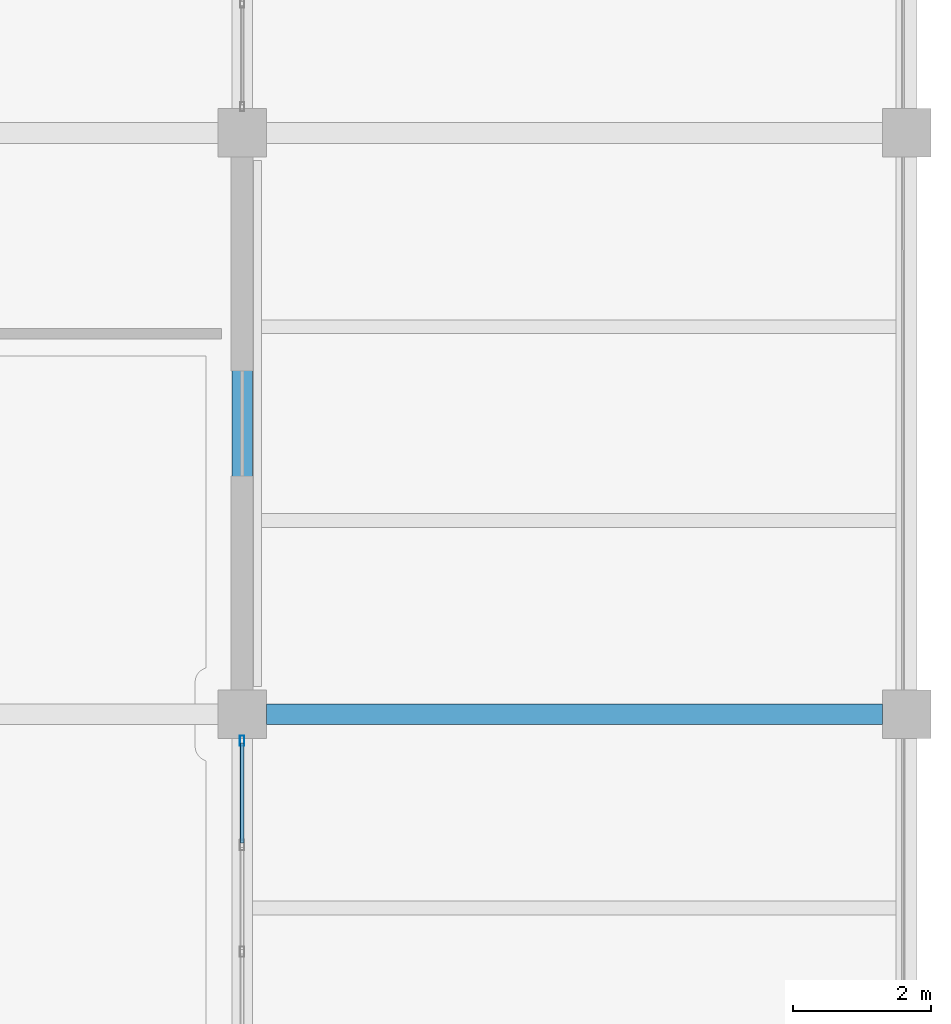
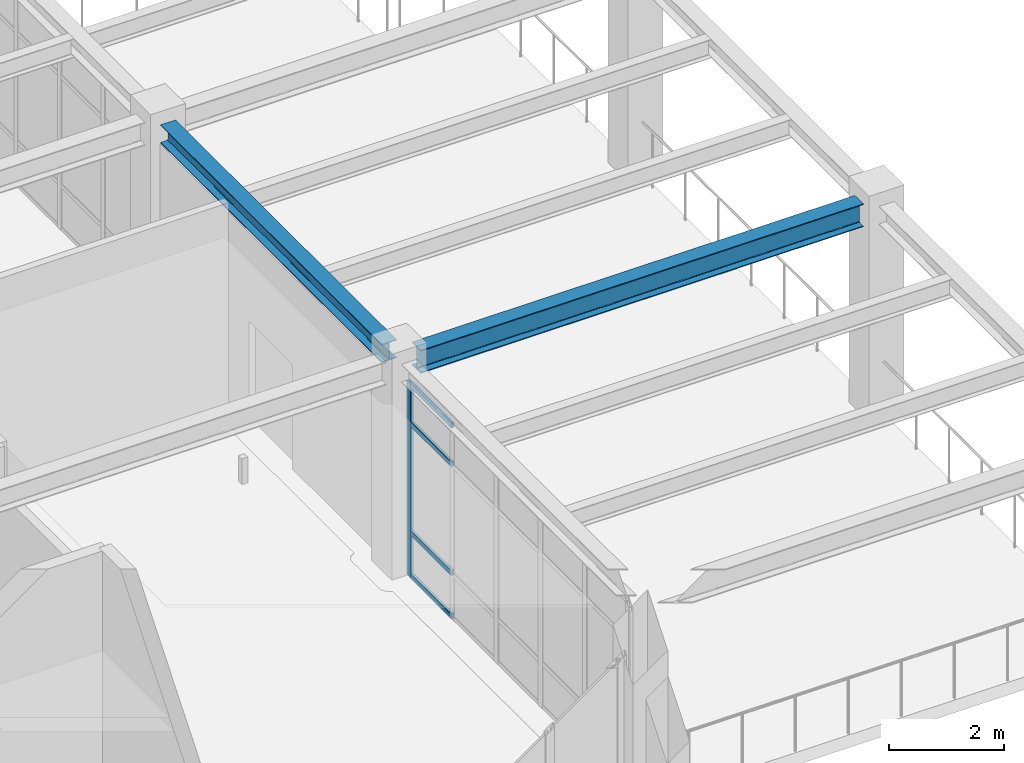
# One storey, part 59 of 98: 5 members, 2 beams, 1 element without a shape of its own.
"""IFC4 building model written with IfcOpenShell, lengths in metres."""

from ifc_helpers import new_model, si_unit, direction, frame, origin, origin_2d, place, context, subcontext, project, spatial, hollow_rectangle, i_section, extrude, material, material_profile, profile_set, type_object, element, aggregate, save


model = new_model("IFC4")

# Units and contexts
model_context = context("Model", 3, precision=1e-05, world=origin(), true_north=direction((0.0, 1.0)))
body_context = subcontext(model_context, "Body", "Model", "MODEL_VIEW")
ifc_project = project(units=[si_unit("LENGTHUNIT", "METRE"), si_unit("AREAUNIT", "SQUARE_METRE"), si_unit("VOLUMEUNIT", "CUBIC_METRE"), si_unit("PLANEANGLEUNIT", "RADIAN"), si_unit("MASSUNIT", "GRAM", prefix="KILO")], contexts=[model_context])

# Site, building, storey
site_placement = place(None, origin())
site = spatial("IfcSite", under=ifc_project, at=site_placement, CompositionType="ELEMENT")
building_placement = place(site_placement, origin())
building = spatial("IfcBuilding", under=site, at=building_placement, Name="Canglan Escarpment Cableway Terminal", CompositionType="ELEMENT")
storey_placement = place(building_placement, frame((0.0, 0.0, 9.60009765625)))
storey = spatial("IfcBuildingStorey", under=building, at=storey_placement, Name="L02", CompositionType="ELEMENT", Elevation=9.60009765625)

# Beams
ifc_material_1 = material(Name="Steel Q355B", Category="steel")
ifc_material_profile_1 = material_profile(ifc_material_1, i_section(OverallWidth=0.300048828125, OverallDepth=0.389892578125, WebThickness=0.010009765625, FlangeThickness=0.01611328125, FilletRadius=0.02197265625, at=origin_2d()), Name="HM 390x300x10x16")
ifc_profile_set_1 = profile_set([ifc_material_profile_1], Name="Steel Q355B")
beam_type_1 = type_object("IfcBeamType", Name="BM-ARCH-TOP-HM390", PredefinedType="BEAM", material=ifc_profile_set_1)
beam_1_placement = place(storey_placement, frame((166.39990234375, 16.75, 4.324951171875), z_axis=(0.0, 1.0, 0.0), x_axis=(-1.0, 0.0, 0.0)))
element("IfcBeam", 1, at=beam_1_placement, inside=storey, type_object=beam_type_1, Name="Primary transverse girder AR-TC1", PredefinedType="BEAM", context=body_context, shape_type="SweptSolid", body=[
    extrude(i_section(OverallWidth=0.300048828125, OverallDepth=0.389892578125, WebThickness=0.010009765625, FlangeThickness=0.01611328125, FilletRadius=0.02197265625, at=origin_2d()), origin(), (0.0, 0.0, 1.0), 7.699951171875),
])
ifc_material_profile_2 = material_profile(ifc_material_1, i_section(OverallWidth=0.300048828125, OverallDepth=0.488037109375, WebThickness=0.010986328125, FlangeThickness=0.01806640625, FilletRadius=0.02587890625, at=origin_2d()), Name="HM 488x300x11x18")
ifc_profile_set_2 = profile_set([ifc_material_profile_2], Name="Steel Q355B")
beam_type_2 = type_object("IfcBeamType", Name="BM-HM488", PredefinedType="BEAM", material=ifc_profile_set_2)
beam_2_placement = place(storey_placement, frame((166.75, 16.39990234375, 4.27587890625), z_axis=(1.0, 0.0, 0.0), x_axis=(0.0, 1.0, 0.0)))
element("IfcBeam", 2, at=beam_2_placement, inside=storey, type_object=beam_type_2, Name="Primary structural girder B-09", PredefinedType="BEAM", context=body_context, shape_type="SweptSolid", body=[
    extrude(i_section(OverallWidth=0.300048828125, OverallDepth=0.488037109375, WebThickness=0.010986328125, FlangeThickness=0.01806640625, FilletRadius=0.02587890625, at=origin_2d()), origin(), (0.0, 0.0, 1.0), 8.89990234375),
])

# Curtain wall, members
ifc_material_2 = material(Name="Anodized bronze aluminium and Low-E double glazing", Category="aluminium")
curtain_wall_type = type_object("IfcCurtainWallType", Name="CW-BAY-7700x4125", PredefinedType="NOTDEFINED", material=ifc_material_2)
curtain_wall_placement = place(storey_placement, origin())
curtain_wall = element("IfcCurtainWall", 3, at=curtain_wall_placement, inside=storey, type_object=curtain_wall_type, Name="Classical bay-between-piers glazed curtain wall CW-27", PredefinedType="NOTDEFINED")
ifc_material_3 = material(Name="Thermally broken anodized aluminium 6063-T6", Category="aluminium")
ifc_material_profile_3 = material_profile(ifc_material_3, hollow_rectangle(XDim=0.06494140625, YDim=0.14990234375, WallThickness=0.00341796875, InnerFilletRadius=0.00341796875, OuterFilletRadius=0.007080078125, at=origin_2d()), Name="ALU-MULL 65x150x3.5")
ifc_profile_set_3 = profile_set([ifc_material_profile_3], Name="Thermally broken anodized aluminium 6063-T6")
member_type_1 = type_object("IfcMemberType", Name="CWM-02", PredefinedType="MULLION", material=ifc_profile_set_3)
member_1_placement = place(storey_placement, frame((166.39990234375, 16.017578125, 0.0), z_axis=(0.0, 0.0, 1.0), x_axis=(-1.0, 0.0, 0.0)))
member_1 = element("IfcMember", 4, at=member_1_placement, type_object=member_type_1, Name="CW-27 mullion 6", PredefinedType="MULLION", context=body_context, shape_type="SweptSolid", body=[
    extrude(hollow_rectangle(XDim=0.06494140625, YDim=0.14990234375, WallThickness=0.00341796875, InnerFilletRadius=0.00341796875, OuterFilletRadius=0.007080078125, at=origin_2d()), origin(), (0.0, 0.0, 1.0), 4.114990234375),
])
ifc_material_profile_4 = material_profile(ifc_material_3, hollow_rectangle(XDim=0.06005859375, YDim=0.110107421875, WallThickness=0.0029296875, InnerFilletRadius=0.0029296875, OuterFilletRadius=0.006103515625, at=origin_2d()), Name="ALU-TRAN 60x110x3")
ifc_profile_set_4 = profile_set([ifc_material_profile_4], Name="Thermally broken anodized aluminium 6063-T6")
member_type_2 = type_object("IfcMemberType", Name="CWT-02", PredefinedType="USERDEFINED", material=ifc_profile_set_4)
member_2_placement = place(storey_placement, frame((166.39990234375, 14.54248046875, 0.02978515625), z_axis=(0.0, 1.0, 0.0), x_axis=(-1.0, 0.0, 0.0)))
member_2 = element("IfcMember", 5, at=member_2_placement, type_object=member_type_2, Name="CW-27 transom 5.1", ObjectType="TRANSOM", PredefinedType="USERDEFINED", context=body_context, shape_type="SweptSolid", body=[
    extrude(hollow_rectangle(XDim=0.06005859375, YDim=0.110107421875, WallThickness=0.0029296875, InnerFilletRadius=0.0029296875, OuterFilletRadius=0.006103515625, at=origin_2d()), origin(), (0.0, 0.0, 1.0), 1.442626953125),
])
member_3_placement = place(storey_placement, frame((166.39990234375, 14.54248046875, 0.949951171875), z_axis=(0.0, 1.0, 0.0), x_axis=(-1.0, 0.0, 0.0)))
member_3 = element("IfcMember", 6, at=member_3_placement, type_object=member_type_2, Name="CW-27 transom 5.2", ObjectType="TRANSOM", PredefinedType="USERDEFINED", context=body_context, shape_type="SweptSolid", body=[
    extrude(hollow_rectangle(XDim=0.06005859375, YDim=0.110107421875, WallThickness=0.0029296875, InnerFilletRadius=0.0029296875, OuterFilletRadius=0.006103515625, at=origin_2d()), origin(), (0.0, 0.0, 1.0), 1.442626953125),
])
member_4_placement = place(storey_placement, frame((166.39990234375, 14.54248046875, 3.264892578125), z_axis=(0.0, 1.0, 0.0), x_axis=(-1.0, 0.0, 0.0)))
member_4 = element("IfcMember", 7, at=member_4_placement, type_object=member_type_2, Name="CW-27 transom 5.3", ObjectType="TRANSOM", PredefinedType="USERDEFINED", context=body_context, shape_type="SweptSolid", body=[
    extrude(hollow_rectangle(XDim=0.06005859375, YDim=0.110107421875, WallThickness=0.0029296875, InnerFilletRadius=0.0029296875, OuterFilletRadius=0.006103515625, at=origin_2d()), origin(), (0.0, 0.0, 1.0), 1.442626953125),
])
member_5_placement = place(storey_placement, frame((166.39990234375, 14.54248046875, 4.0849609375), z_axis=(0.0, 1.0, 0.0), x_axis=(-1.0, 0.0, 0.0)))
member_5 = element("IfcMember", 8, at=member_5_placement, type_object=member_type_2, Name="CW-27 transom 5.4", ObjectType="TRANSOM", PredefinedType="USERDEFINED", context=body_context, shape_type="SweptSolid", body=[
    extrude(hollow_rectangle(XDim=0.06005859375, YDim=0.110107421875, WallThickness=0.0029296875, InnerFilletRadius=0.0029296875, OuterFilletRadius=0.006103515625, at=origin_2d()), origin(), (0.0, 0.0, 1.0), 1.442626953125),
])
aggregate(curtain_wall, [member_1, member_2, member_3, member_4, member_5])

save(model, "model.ifc")
